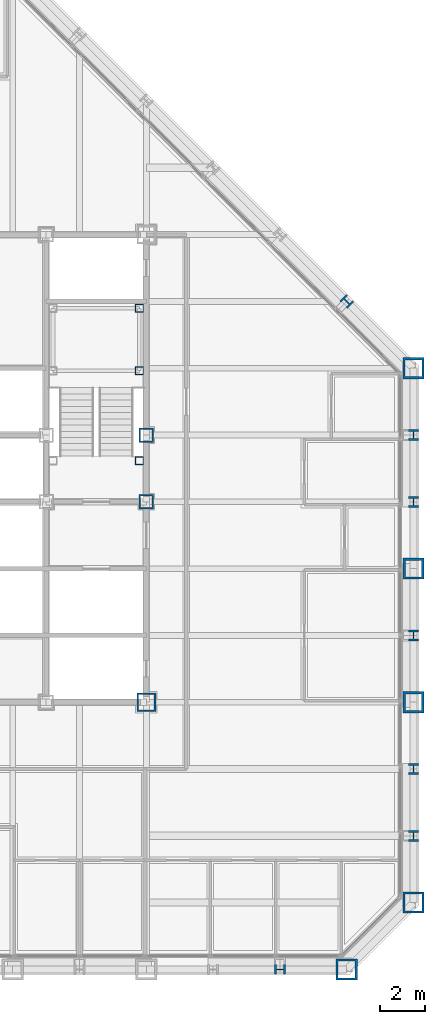
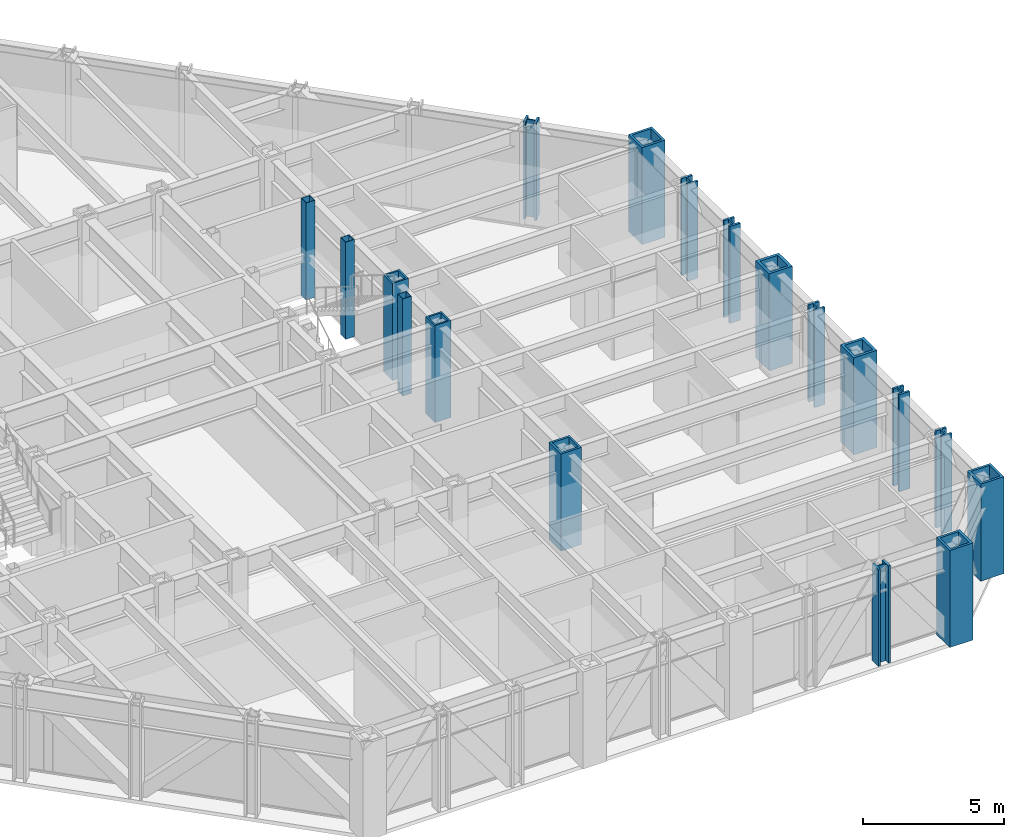
# One storey, part 2 of 16: 18 columns.
"""IFC4 building model written with IfcOpenShell, lengths in metres."""

from ifc_helpers import new_model, si_unit, direction, frame, origin, origin_2d, place, context, subcontext, project, spatial, hollow_rectangle, i_section, extrude, material, material_profile, profile_set, type_object, element, save


model = new_model("IFC4")

# Units and contexts
model_context = context("Model", 3, precision=1e-05, world=origin(), true_north=direction((0.0, 1.0)))
body_context = subcontext(model_context, "Body", "Model", "MODEL_VIEW")
ifc_project = project(units=[si_unit("LENGTHUNIT", "METRE"), si_unit("AREAUNIT", "SQUARE_METRE"), si_unit("VOLUMEUNIT", "CUBIC_METRE"), si_unit("PLANEANGLEUNIT", "RADIAN"), si_unit("MASSUNIT", "GRAM", prefix="KILO")], contexts=[model_context])

# Site, building, storey
site_placement = place(None, origin())
site = spatial("IfcSite", under=ifc_project, at=site_placement, CompositionType="ELEMENT")
building_placement = place(site_placement, origin())
building = spatial("IfcBuilding", under=site, at=building_placement, Name="Chuquiago Exchange Tower", CompositionType="ELEMENT")
storey_placement = place(building_placement, frame((0.0, 0.0, 153.0)))
storey = spatial("IfcBuildingStorey", under=building, at=storey_placement, Name="L33", CompositionType="ELEMENT", Elevation=153.0)

# Columns
ifc_material_1 = material(Name="Steel ASTM A992", Category="steel")
ifc_material_profile_1 = material_profile(ifc_material_1, i_section(OverallWidth=0.431884765625, OverallDepth=0.497802734375, WebThickness=0.0556640625, FlangeThickness=0.0888671875, at=origin_2d()), Name="W14X500")
ifc_profile_set_1 = profile_set([ifc_material_profile_1], Name="Steel ASTM A992")
column_type_1 = type_object("IfcColumnType", Name="C7 W14X500", PredefinedType="COLUMN", material=ifc_profile_set_1)
for number, where, z_axis, x_axis, name in (
    (1, (39.0, 0.0, 0.0), (0.0, 0.0, 1.0), (0.0, -1.0, 0.0), "COL-L33-39_0"),
    (2, (45.0, 6.0, 0.0), (0.0, 0.0, 1.0), (1.0, 0.0, 0.0), "COL-L33-45_6"),
    (3, (45.0, 9.0, 0.0), (0.0, 0.0, 1.0), (1.0, 0.0, 0.0), "COL-L33-45_9"),
    (4, (45.0, 15.0, 0.0), (0.0, 0.0, 1.0), (1.0, 0.0, 0.0), "COL-L33-45_15"),
    (5, (45.0, 21.0, 0.0), (0.0, 0.0, 1.0), (1.0, 0.0, 0.0), "COL-L33-45_21"),
    (6, (45.0, 24.0, 0.0), (0.0, 0.0, 1.0), (1.0, 0.0, 0.0), "COL-L33-45_24"),
):
    element("IfcColumn", number, at=place(storey_placement, frame(where, z_axis=z_axis, x_axis=x_axis)), inside=storey, type_object=column_type_1, Name=name, PredefinedType="COLUMN", context=body_context, shape_type="SweptSolid", body=[
        extrude(i_section(OverallWidth=0.431884765625, OverallDepth=0.497802734375, WebThickness=0.0556640625, FlangeThickness=0.0888671875, at=origin_2d()), origin(), (0.0, 0.0, 1.0), 4.199951171875),
    ])
ifc_material_2 = material(Name="Steel ASTM A572 Grade 50", Category="steel")
ifc_material_profile_2 = material_profile(ifc_material_2, hollow_rectangle(XDim=0.85009765625, YDim=0.85009765625, WallThickness=0.0849609375, at=origin_2d()), Name="BOX850X850X85")
ifc_profile_set_2 = profile_set([ifc_material_profile_2], Name="Steel ASTM A572 Grade 50")
column_type_2 = type_object("IfcColumnType", Name="CC6 BOX850X850X85", PredefinedType="COLUMN", material=ifc_profile_set_2)
column_1_placement = place(storey_placement, frame((33.0, 12.0, 0.0), z_axis=(0.0, 0.0, 1.0), x_axis=(1.0, 0.0, 0.0)))
element("IfcColumn", 7, at=column_1_placement, inside=storey, type_object=column_type_2, Name="CCOL-L33-33_12", PredefinedType="COLUMN", context=body_context, shape_type="SweptSolid", body=[
    extrude(hollow_rectangle(XDim=0.85009765625, YDim=0.85009765625, WallThickness=0.0849609375, at=origin_2d()), origin(), (0.0, 0.0, 1.0), 4.199951171875),
])
ifc_material_3 = material(Name="Steel ASTM A572 Grade 50", Category="steel")
ifc_material_profile_3 = material_profile(ifc_material_3, hollow_rectangle(XDim=0.64990234375, YDim=0.64990234375, WallThickness=0.06494140625, at=origin_2d()), Name="BOX650X650X65")
ifc_profile_set_3 = profile_set([ifc_material_profile_3], Name="Steel ASTM A572 Grade 50")
column_type_3 = type_object("IfcColumnType", Name="CC7 BOX650X650X65", PredefinedType="COLUMN", material=ifc_profile_set_3)
for number, where, z_axis, x_axis, name in (
    (8, (33.0, 21.0, 0.0), (0.0, 0.0, 1.0), (1.0, 0.0, 0.0), "CCOL-L33-33_21"),
    (9, (33.0, 24.0, 0.0), (0.0, 0.0, 1.0), (1.0, 0.0, 0.0), "CCOL-L33-33_24"),
):
    element("IfcColumn", number, at=place(storey_placement, frame(where, z_axis=z_axis, x_axis=x_axis)), inside=storey, type_object=column_type_3, Name=name, PredefinedType="COLUMN", context=body_context, shape_type="SweptSolid", body=[
        extrude(hollow_rectangle(XDim=0.64990234375, YDim=0.64990234375, WallThickness=0.06494140625, at=origin_2d()), origin(), (0.0, 0.0, 1.0), 4.199951171875),
    ])
ifc_material_4 = material(Name="Steel ASTM A992", Category="steel")
ifc_material_profile_4 = material_profile(ifc_material_4, i_section(OverallWidth=0.4267578125, OverallDepth=0.482666015625, WebThickness=0.05126953125, FlangeThickness=0.08154296875, at=origin_2d()), Name="W14X455")
ifc_profile_set_4 = profile_set([ifc_material_profile_4], Name="Steel ASTM A992")
column_type_4 = type_object("IfcColumnType", Name="CK6 W14X455", PredefinedType="COLUMN", material=ifc_profile_set_4)
column_2_placement = place(storey_placement, frame((42.0, 30.0, 0.0), z_axis=(0.0, 0.0, 1.0), x_axis=(0.707106781187, 0.707106781187, 0.0)))
element("IfcColumn", 10, at=column_2_placement, inside=storey, type_object=column_type_4, Name="COL-L33-42_30", PredefinedType="COLUMN", context=body_context, shape_type="SweptSolid", body=[
    extrude(i_section(OverallWidth=0.4267578125, OverallDepth=0.482666015625, WebThickness=0.05126953125, FlangeThickness=0.08154296875, at=origin_2d()), origin(), (0.0, 0.0, 1.0), 4.199951171875),
])
ifc_material_5 = material(Name="Steel ASTM A572 Grade 50", Category="steel")
ifc_material_profile_5 = material_profile(ifc_material_5, hollow_rectangle(XDim=0.949951171875, YDim=0.949951171875, WallThickness=0.094970703125, at=origin_2d()), Name="BOX950X950X95")
ifc_profile_set_5 = profile_set([ifc_material_profile_5], Name="Steel ASTM A572 Grade 50")
column_type_5 = type_object("IfcColumnType", Name="CN1 BOX950X950X95", PredefinedType="COLUMN", material=ifc_profile_set_5)
for number, where, z_axis, x_axis, name in (
    (11, (42.0, 0.0, 0.0), (0.0, 0.0, 1.0), (0.0, -1.0, 0.0), "COL-L33-42_0"),
    (12, (45.0, 3.0, 0.0), (0.0, 0.0, 1.0), (1.0, 0.0, 0.0), "COL-L33-45_3"),
    (13, (45.0, 27.0, 0.0), (0.0, 0.0, 1.0), (1.0, 0.0, 0.0), "COL-L33-45_27"),
):
    element("IfcColumn", number, at=place(storey_placement, frame(where, z_axis=z_axis, x_axis=x_axis)), inside=storey, type_object=column_type_5, Name=name, PredefinedType="COLUMN", context=body_context, shape_type="SweptSolid", body=[
        extrude(hollow_rectangle(XDim=0.949951171875, YDim=0.949951171875, WallThickness=0.094970703125, at=origin_2d()), origin(), (0.0, 0.0, 1.0), 4.199951171875),
    ])
ifc_material_6 = material(Name="Steel ASTM A572 Grade 42", Category="steel")
ifc_material_profile_6 = material_profile(ifc_material_6, hollow_rectangle(XDim=0.949951171875, YDim=0.949951171875, WallThickness=0.110107421875, at=origin_2d()), Name="BOX950X950X110")
ifc_profile_set_6 = profile_set([ifc_material_profile_6], Name="Steel ASTM A572 Grade 42")
column_type_6 = type_object("IfcColumnType", Name="CT1 BOX950X950X110", PredefinedType="COLUMN", material=ifc_profile_set_6)
for number, where, z_axis, x_axis, name in (
    (14, (45.0, 12.0, 0.0), (0.0, 0.0, 1.0), (1.0, 0.0, 0.0), "COL-L33-45_12"),
    (15, (45.0, 18.0, 0.0), (0.0, 0.0, 1.0), (1.0, 0.0, 0.0), "COL-L33-45_18"),
):
    element("IfcColumn", number, at=place(storey_placement, frame(where, z_axis=z_axis, x_axis=x_axis)), inside=storey, type_object=column_type_6, Name=name, PredefinedType="COLUMN", context=body_context, shape_type="SweptSolid", body=[
        extrude(hollow_rectangle(XDim=0.949951171875, YDim=0.949951171875, WallThickness=0.110107421875, at=origin_2d()), origin(), (0.0, 0.0, 1.0), 4.199951171875),
    ])
ifc_material_7 = material(Name="Steel ASTM A500 Grade C", Category="steel")
ifc_material_profile_7 = material_profile(ifc_material_7, hollow_rectangle(XDim=0.355712890625, YDim=0.355712890625, WallThickness=0.0146484375, at=origin_2d()), Name="HSS14X14X5/8")
ifc_profile_set_7 = profile_set([ifc_material_profile_7], Name="Steel ASTM A500 Grade C")
column_type_7 = type_object("IfcColumnType", Name="PT2 HSS14X14X5/8", PredefinedType="COLUMN", material=ifc_profile_set_7)
for number, where, z_axis, x_axis, name in (
    (16, (32.68994140625, 29.68994140625, 0.0), (0.0, 0.0, 1.0), (1.0, 0.0, 0.0), "Stair ST2 L33 landing post"),
    (17, (32.68994140625, 26.889892578125, 0.0), (0.0, 0.0, 1.0), (1.0, 0.0, 0.0), "Stair ST2 L33 landing post"),
    (18, (32.68994140625, 22.85009765625, 0.0), (0.0, 0.0, 1.0), (1.0, 0.0, 0.0), "Stair ST2 L33 landing post"),
):
    element("IfcColumn", number, at=place(storey_placement, frame(where, z_axis=z_axis, x_axis=x_axis)), inside=storey, type_object=column_type_7, Name=name, PredefinedType="COLUMN", context=body_context, shape_type="SweptSolid", body=[
        extrude(hollow_rectangle(XDim=0.355712890625, YDim=0.355712890625, WallThickness=0.0146484375, at=origin_2d()), origin(), (0.0, 0.0, 1.0), 4.199951171875),
    ])

save(model, "model.ifc")
